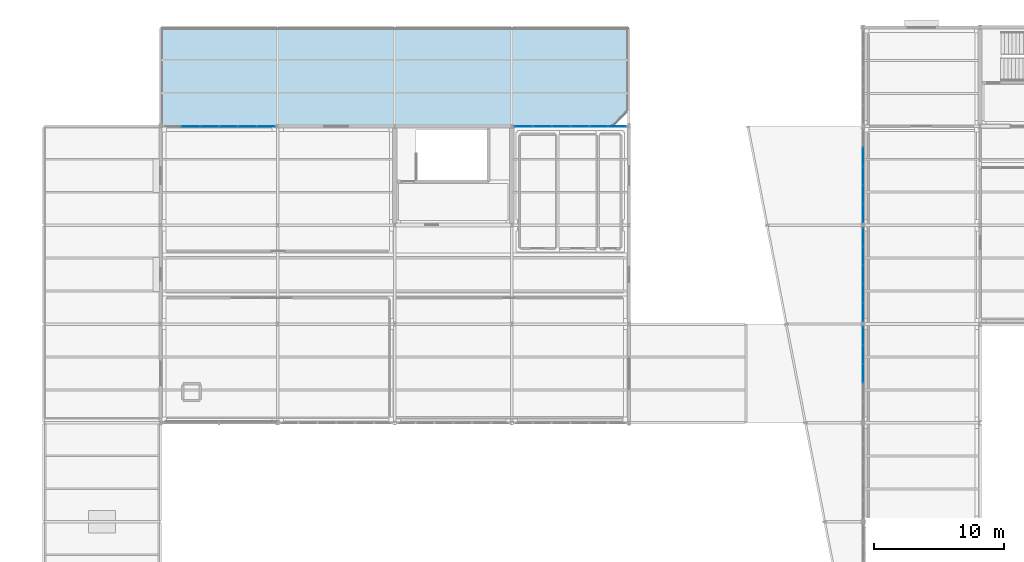
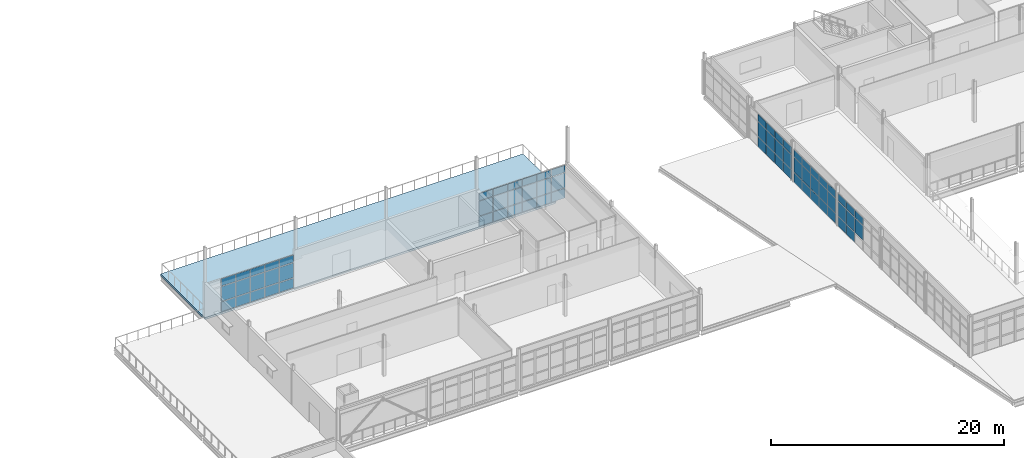
# One storey, part 72 of 96: 68 plates, 1 slab, 5 elements without a shape of their own.
"""IFC4 building model written with IfcOpenShell, lengths in metres."""

from ifc_helpers import new_model, si_unit, direction, frame, origin, origin_2d, place, context, subcontext, project, spatial, polyline, rectangle, outline, extrude, material, layer, layer_set, type_object, element, aggregate, save


model = new_model("IFC4")

# Units and contexts
model_context = context("Model", 3, precision=1e-05, world=origin(), true_north=direction((0.0, 1.0)))
body_context = subcontext(model_context, "Body", "Model", "MODEL_VIEW")
ifc_project = project(units=[si_unit("LENGTHUNIT", "METRE"), si_unit("AREAUNIT", "SQUARE_METRE"), si_unit("VOLUMEUNIT", "CUBIC_METRE"), si_unit("PLANEANGLEUNIT", "RADIAN"), si_unit("MASSUNIT", "GRAM", prefix="KILO")], contexts=[model_context])

# Site, building, storey
site_placement = place(None, origin())
site = spatial("IfcSite", under=ifc_project, at=site_placement, CompositionType="ELEMENT")
building_placement = place(site_placement, origin())
building = spatial("IfcBuilding", under=site, at=building_placement, Name="Caisbarro Railhouse Central Library", CompositionType="ELEMENT")
storey_placement = place(building_placement, frame((0.0, 0.0, 13.679931640625)))
storey = spatial("IfcBuildingStorey", under=building, at=storey_placement, Name="L03", CompositionType="ELEMENT", Elevation=13.679931640625)

# Curtain wall, plates
ifc_material_1 = material(Name="Anodised architectural aluminium", Category="aluminium")
curtain_wall_type_1 = type_object("IfcCurtainWallType", Name="CW-CW02", PredefinedType="NOTDEFINED", material=ifc_material_1)
curtain_wall_1_placement = place(storey_placement, origin())
curtain_wall_1 = element("IfcCurtainWall", 1, at=curtain_wall_1_placement, inside=storey, type_object=curtain_wall_type_1, Name="CW02 curtain wall L03 #144", PredefinedType="NOTDEFINED")
ifc_material_2 = material(Name="Double low-e laminated solar-control glass", Category="glass")
ifc_layer_1 = layer(ifc_material_2, 0.0380859375, Name="Double low-e laminated solar-control glass")
ifc_layer_set_1 = layer_set([ifc_layer_1], Name="Double low-e laminated solar-control glass")
plate_type_1 = type_object("IfcPlateType", Name="CWP-CP38", PredefinedType="CURTAIN_PANEL", material=ifc_layer_set_1)
plate_1_placement = place(storey_placement, frame((117.0, 87.39990234375, 1.15771484375), z_axis=(0.0, 0.0, 1.0), x_axis=(0.0, 1.0, 0.0)))
plate_1 = element("IfcPlate", 2, at=plate_1_placement, type_object=plate_type_1, Name="CW02 panel 3.2", PredefinedType="CURTAIN_PANEL", context=body_context, shape_type="SweptSolid", body=[
    extrude(rectangle(XDim=1.39111328125, YDim=0.0380859375, at=origin_2d()), origin(), (0.0, 0.0, 1.0), 1.514892578125),
])
plate_2_placement = place(storey_placement, frame((117.0, 87.39990234375, 2.74755859375), z_axis=(0.0, 0.0, 1.0), x_axis=(0.0, 1.0, 0.0)))
plate_2 = element("IfcPlate", 3, at=plate_2_placement, type_object=plate_type_1, Name="CW02 panel 3.3", PredefinedType="CURTAIN_PANEL", context=body_context, shape_type="SweptSolid", body=[
    extrude(rectangle(XDim=1.39111328125, YDim=0.0380859375, at=origin_2d()), origin(), (0.0, 0.0, 1.0), 0.737548828125),
])
plate_3_placement = place(storey_placement, frame((117.0, 88.85595703125, 0.0751953125), z_axis=(0.0, 0.0, 1.0), x_axis=(0.0, 1.0, 0.0)))
plate_3 = element("IfcPlate", 4, at=plate_3_placement, type_object=plate_type_1, Name="CW02 panel 4.1", PredefinedType="CURTAIN_PANEL", context=body_context, shape_type="SweptSolid", body=[
    extrude(rectangle(XDim=1.39111328125, YDim=0.0380859375, at=origin_2d()), origin(), (0.0, 0.0, 1.0), 1.007568359375),
])
plate_4_placement = place(storey_placement, frame((117.0, 88.85595703125, 1.15771484375), z_axis=(0.0, 0.0, 1.0), x_axis=(0.0, 1.0, 0.0)))
plate_4 = element("IfcPlate", 5, at=plate_4_placement, type_object=plate_type_1, Name="CW02 panel 4.2", PredefinedType="CURTAIN_PANEL", context=body_context, shape_type="SweptSolid", body=[
    extrude(rectangle(XDim=1.39111328125, YDim=0.0380859375, at=origin_2d()), origin(), (0.0, 0.0, 1.0), 1.514892578125),
])
plate_5_placement = place(storey_placement, frame((117.0, 88.85595703125, 2.74755859375), z_axis=(0.0, 0.0, 1.0), x_axis=(0.0, 1.0, 0.0)))
plate_5 = element("IfcPlate", 6, at=plate_5_placement, type_object=plate_type_1, Name="CW02 panel 4.3", PredefinedType="CURTAIN_PANEL", context=body_context, shape_type="SweptSolid", body=[
    extrude(rectangle(XDim=1.39111328125, YDim=0.0380859375, at=origin_2d()), origin(), (0.0, 0.0, 1.0), 0.737548828125),
])
plate_6_placement = place(storey_placement, frame((117.0, 90.295654296875, 0.0751953125), z_axis=(0.0, 0.0, 1.0), x_axis=(0.0, 1.0, 0.0)))
plate_6 = element("IfcPlate", 7, at=plate_6_placement, type_object=plate_type_1, Name="CW02 panel 5.1", PredefinedType="CURTAIN_PANEL", context=body_context, shape_type="SweptSolid", body=[
    extrude(rectangle(XDim=1.3583984375, YDim=0.0380859375, at=origin_2d()), origin(), (0.0, 0.0, 1.0), 1.007568359375),
])
plate_7_placement = place(storey_placement, frame((117.0, 90.295654296875, 1.15771484375), z_axis=(0.0, 0.0, 1.0), x_axis=(0.0, 1.0, 0.0)))
plate_7 = element("IfcPlate", 8, at=plate_7_placement, type_object=plate_type_1, Name="CW02 panel 5.2", PredefinedType="CURTAIN_PANEL", context=body_context, shape_type="SweptSolid", body=[
    extrude(rectangle(XDim=1.3583984375, YDim=0.0380859375, at=origin_2d()), origin(), (0.0, 0.0, 1.0), 1.514892578125),
])
plate_8_placement = place(storey_placement, frame((117.0, 90.295654296875, 2.74755859375), z_axis=(0.0, 0.0, 1.0), x_axis=(0.0, 1.0, 0.0)))
plate_8 = element("IfcPlate", 9, at=plate_8_placement, type_object=plate_type_1, Name="CW02 panel 5.3", PredefinedType="CURTAIN_PANEL", context=body_context, shape_type="SweptSolid", body=[
    extrude(rectangle(XDim=1.3583984375, YDim=0.0380859375, at=origin_2d()), origin(), (0.0, 0.0, 1.0), 0.737548828125),
])
aggregate(curtain_wall_1, [plate_1, plate_2, plate_3, plate_4, plate_5, plate_6, plate_7, plate_8])

curtain_wall_type_2 = type_object("IfcCurtainWallType", Name="CW-CW03", PredefinedType="NOTDEFINED", material=ifc_material_1)
curtain_wall_2_placement = place(storey_placement, origin())
curtain_wall_2 = element("IfcCurtainWall", 10, at=curtain_wall_2_placement, inside=storey, type_object=curtain_wall_type_2, Name="CW03 curtain wall L03 #187", PredefinedType="NOTDEFINED")
plate_9_placement = place(storey_placement, frame((65.330078125, 106.39990234375, 0.0751953125), z_axis=(0.0, 0.0, 1.0), x_axis=(1.0, 0.0, 0.0)))
plate_9 = element("IfcPlate", 11, at=plate_9_placement, type_object=plate_type_1, Name="CW03 panel 2.1", PredefinedType="CURTAIN_PANEL", context=body_context, shape_type="SweptSolid", body=[
    extrude(rectangle(XDim=1.381591796875, YDim=0.0380859375, at=origin_2d()), origin(), (0.0, 0.0, 1.0), 1.007568359375),
])
plate_10_placement = place(storey_placement, frame((65.330078125, 106.39990234375, 1.15771484375), z_axis=(0.0, 0.0, 1.0), x_axis=(1.0, 0.0, 0.0)))
plate_10 = element("IfcPlate", 12, at=plate_10_placement, type_object=plate_type_1, Name="CW03 panel 2.2", PredefinedType="CURTAIN_PANEL", context=body_context, shape_type="SweptSolid", body=[
    extrude(rectangle(XDim=1.381591796875, YDim=0.0380859375, at=origin_2d()), origin(), (0.0, 0.0, 1.0), 1.534912109375),
])
plate_11_placement = place(storey_placement, frame((65.330078125, 106.39990234375, 2.767578125), z_axis=(0.0, 0.0, 1.0), x_axis=(1.0, 0.0, 0.0)))
plate_11 = element("IfcPlate", 13, at=plate_11_placement, type_object=plate_type_1, Name="CW03 panel 2.3", PredefinedType="CURTAIN_PANEL", context=body_context, shape_type="SweptSolid", body=[
    extrude(rectangle(XDim=1.381591796875, YDim=0.0380859375, at=origin_2d()), origin(), (0.0, 0.0, 1.0), 0.737548828125),
])
plate_12_placement = place(storey_placement, frame((66.776611328125, 106.39990234375, 0.0751953125), z_axis=(0.0, 0.0, 1.0), x_axis=(1.0, 0.0, 0.0)))
plate_12 = element("IfcPlate", 14, at=plate_12_placement, type_object=plate_type_1, Name="CW03 panel 3.1", PredefinedType="CURTAIN_PANEL", context=body_context, shape_type="SweptSolid", body=[
    extrude(rectangle(XDim=1.381591796875, YDim=0.0380859375, at=origin_2d()), origin(), (0.0, 0.0, 1.0), 1.007568359375),
])
plate_13_placement = place(storey_placement, frame((66.776611328125, 106.39990234375, 1.15771484375), z_axis=(0.0, 0.0, 1.0), x_axis=(1.0, 0.0, 0.0)))
plate_13 = element("IfcPlate", 15, at=plate_13_placement, type_object=plate_type_1, Name="CW03 panel 3.2", PredefinedType="CURTAIN_PANEL", context=body_context, shape_type="SweptSolid", body=[
    extrude(rectangle(XDim=1.381591796875, YDim=0.0380859375, at=origin_2d()), origin(), (0.0, 0.0, 1.0), 1.534912109375),
])
plate_14_placement = place(storey_placement, frame((66.776611328125, 106.39990234375, 2.767578125), z_axis=(0.0, 0.0, 1.0), x_axis=(1.0, 0.0, 0.0)))
plate_14 = element("IfcPlate", 16, at=plate_14_placement, type_object=plate_type_1, Name="CW03 panel 3.3", PredefinedType="CURTAIN_PANEL", context=body_context, shape_type="SweptSolid", body=[
    extrude(rectangle(XDim=1.381591796875, YDim=0.0380859375, at=origin_2d()), origin(), (0.0, 0.0, 1.0), 0.737548828125),
])
plate_15_placement = place(storey_placement, frame((68.223388671875, 106.39990234375, 0.0751953125), z_axis=(0.0, 0.0, 1.0), x_axis=(1.0, 0.0, 0.0)))
plate_15 = element("IfcPlate", 17, at=plate_15_placement, type_object=plate_type_1, Name="CW03 panel 4.1", PredefinedType="CURTAIN_PANEL", context=body_context, shape_type="SweptSolid", body=[
    extrude(rectangle(XDim=1.381591796875, YDim=0.0380859375, at=origin_2d()), origin(), (0.0, 0.0, 1.0), 1.007568359375),
])
plate_16_placement = place(storey_placement, frame((68.223388671875, 106.39990234375, 1.15771484375), z_axis=(0.0, 0.0, 1.0), x_axis=(1.0, 0.0, 0.0)))
plate_16 = element("IfcPlate", 18, at=plate_16_placement, type_object=plate_type_1, Name="CW03 panel 4.2", PredefinedType="CURTAIN_PANEL", context=body_context, shape_type="SweptSolid", body=[
    extrude(rectangle(XDim=1.381591796875, YDim=0.0380859375, at=origin_2d()), origin(), (0.0, 0.0, 1.0), 1.534912109375),
])
plate_17_placement = place(storey_placement, frame((68.223388671875, 106.39990234375, 2.767578125), z_axis=(0.0, 0.0, 1.0), x_axis=(1.0, 0.0, 0.0)))
plate_17 = element("IfcPlate", 19, at=plate_17_placement, type_object=plate_type_1, Name="CW03 panel 4.3", PredefinedType="CURTAIN_PANEL", context=body_context, shape_type="SweptSolid", body=[
    extrude(rectangle(XDim=1.381591796875, YDim=0.0380859375, at=origin_2d()), origin(), (0.0, 0.0, 1.0), 0.737548828125),
])
plate_18_placement = place(storey_placement, frame((69.669921875, 106.39990234375, 0.0751953125), z_axis=(0.0, 0.0, 1.0), x_axis=(1.0, 0.0, 0.0)))
plate_18 = element("IfcPlate", 20, at=plate_18_placement, type_object=plate_type_1, Name="CW03 panel 5.1", PredefinedType="CURTAIN_PANEL", context=body_context, shape_type="SweptSolid", body=[
    extrude(rectangle(XDim=1.381591796875, YDim=0.0380859375, at=origin_2d()), origin(), (0.0, 0.0, 1.0), 1.007568359375),
])
plate_19_placement = place(storey_placement, frame((69.669921875, 106.39990234375, 1.15771484375), z_axis=(0.0, 0.0, 1.0), x_axis=(1.0, 0.0, 0.0)))
plate_19 = element("IfcPlate", 21, at=plate_19_placement, type_object=plate_type_1, Name="CW03 panel 5.2", PredefinedType="CURTAIN_PANEL", context=body_context, shape_type="SweptSolid", body=[
    extrude(rectangle(XDim=1.381591796875, YDim=0.0380859375, at=origin_2d()), origin(), (0.0, 0.0, 1.0), 1.534912109375),
])
plate_20_placement = place(storey_placement, frame((69.669921875, 106.39990234375, 2.767578125), z_axis=(0.0, 0.0, 1.0), x_axis=(1.0, 0.0, 0.0)))
plate_20 = element("IfcPlate", 22, at=plate_20_placement, type_object=plate_type_1, Name="CW03 panel 5.3", PredefinedType="CURTAIN_PANEL", context=body_context, shape_type="SweptSolid", body=[
    extrude(rectangle(XDim=1.381591796875, YDim=0.0380859375, at=origin_2d()), origin(), (0.0, 0.0, 1.0), 0.737548828125),
])
plate_21_placement = place(storey_placement, frame((71.100341796875, 106.39990234375, 0.0751953125), z_axis=(0.0, 0.0, 1.0), x_axis=(1.0, 0.0, 0.0)))
plate_21 = element("IfcPlate", 23, at=plate_21_placement, type_object=plate_type_1, Name="CW03 panel 6.1", PredefinedType="CURTAIN_PANEL", context=body_context, shape_type="SweptSolid", body=[
    extrude(rectangle(XDim=1.34912109375, YDim=0.0380859375, at=origin_2d()), origin(), (0.0, 0.0, 1.0), 1.007568359375),
])
plate_22_placement = place(storey_placement, frame((71.100341796875, 106.39990234375, 1.15771484375), z_axis=(0.0, 0.0, 1.0), x_axis=(1.0, 0.0, 0.0)))
plate_22 = element("IfcPlate", 24, at=plate_22_placement, type_object=plate_type_1, Name="CW03 panel 6.2", PredefinedType="CURTAIN_PANEL", context=body_context, shape_type="SweptSolid", body=[
    extrude(rectangle(XDim=1.34912109375, YDim=0.0380859375, at=origin_2d()), origin(), (0.0, 0.0, 1.0), 1.534912109375),
])
plate_23_placement = place(storey_placement, frame((71.100341796875, 106.39990234375, 2.767578125), z_axis=(0.0, 0.0, 1.0), x_axis=(1.0, 0.0, 0.0)))
plate_23 = element("IfcPlate", 25, at=plate_23_placement, type_object=plate_type_1, Name="CW03 panel 6.3", PredefinedType="CURTAIN_PANEL", context=body_context, shape_type="SweptSolid", body=[
    extrude(rectangle(XDim=1.34912109375, YDim=0.0380859375, at=origin_2d()), origin(), (0.0, 0.0, 1.0), 0.737548828125),
])
aggregate(curtain_wall_2, [plate_9, plate_10, plate_11, plate_12, plate_13, plate_14, plate_15, plate_16, plate_17, plate_18, plate_19, plate_20, plate_21, plate_22, plate_23])

curtain_wall_3_placement = place(storey_placement, origin())
curtain_wall_3 = element("IfcCurtainWall", 26, at=curtain_wall_3_placement, inside=storey, type_object=curtain_wall_type_2, Name="CW03 curtain wall L03 #191", PredefinedType="NOTDEFINED")
plate_24_placement = place(storey_placement, frame((90.899658203125, 106.39990234375, 0.0751953125), z_axis=(0.0, 0.0, 1.0), x_axis=(1.0, 0.0, 0.0)))
plate_24 = element("IfcPlate", 27, at=plate_24_placement, type_object=plate_type_1, Name="CW03 panel 1.1", PredefinedType="CURTAIN_PANEL", context=body_context, shape_type="SweptSolid", body=[
    extrude(rectangle(XDim=1.34912109375, YDim=0.0380859375, at=origin_2d()), origin(), (0.0, 0.0, 1.0), 1.007568359375),
])
plate_25_placement = place(storey_placement, frame((90.899658203125, 106.39990234375, 1.15771484375), z_axis=(0.0, 0.0, 1.0), x_axis=(1.0, 0.0, 0.0)))
plate_25 = element("IfcPlate", 28, at=plate_25_placement, type_object=plate_type_1, Name="CW03 panel 1.2", PredefinedType="CURTAIN_PANEL", context=body_context, shape_type="SweptSolid", body=[
    extrude(rectangle(XDim=1.34912109375, YDim=0.0380859375, at=origin_2d()), origin(), (0.0, 0.0, 1.0), 1.534912109375),
])
plate_26_placement = place(storey_placement, frame((90.899658203125, 106.39990234375, 2.767578125), z_axis=(0.0, 0.0, 1.0), x_axis=(1.0, 0.0, 0.0)))
plate_26 = element("IfcPlate", 29, at=plate_26_placement, type_object=plate_type_1, Name="CW03 panel 1.3", PredefinedType="CURTAIN_PANEL", context=body_context, shape_type="SweptSolid", body=[
    extrude(rectangle(XDim=1.34912109375, YDim=0.0380859375, at=origin_2d()), origin(), (0.0, 0.0, 1.0), 0.737548828125),
])
plate_27_placement = place(storey_placement, frame((92.330078125, 106.39990234375, 0.0751953125), z_axis=(0.0, 0.0, 1.0), x_axis=(1.0, 0.0, 0.0)))
plate_27 = element("IfcPlate", 30, at=plate_27_placement, type_object=plate_type_1, Name="CW03 panel 2.1", PredefinedType="CURTAIN_PANEL", context=body_context, shape_type="SweptSolid", body=[
    extrude(rectangle(XDim=1.381591796875, YDim=0.0380859375, at=origin_2d()), origin(), (0.0, 0.0, 1.0), 1.007568359375),
])
plate_28_placement = place(storey_placement, frame((92.330078125, 106.39990234375, 1.15771484375), z_axis=(0.0, 0.0, 1.0), x_axis=(1.0, 0.0, 0.0)))
plate_28 = element("IfcPlate", 31, at=plate_28_placement, type_object=plate_type_1, Name="CW03 panel 2.2", PredefinedType="CURTAIN_PANEL", context=body_context, shape_type="SweptSolid", body=[
    extrude(rectangle(XDim=1.381591796875, YDim=0.0380859375, at=origin_2d()), origin(), (0.0, 0.0, 1.0), 1.534912109375),
])
plate_29_placement = place(storey_placement, frame((92.330078125, 106.39990234375, 2.767578125), z_axis=(0.0, 0.0, 1.0), x_axis=(1.0, 0.0, 0.0)))
plate_29 = element("IfcPlate", 32, at=plate_29_placement, type_object=plate_type_1, Name="CW03 panel 2.3", PredefinedType="CURTAIN_PANEL", context=body_context, shape_type="SweptSolid", body=[
    extrude(rectangle(XDim=1.381591796875, YDim=0.0380859375, at=origin_2d()), origin(), (0.0, 0.0, 1.0), 0.737548828125),
])
plate_30_placement = place(storey_placement, frame((93.776611328125, 106.39990234375, 0.0751953125), z_axis=(0.0, 0.0, 1.0), x_axis=(1.0, 0.0, 0.0)))
plate_30 = element("IfcPlate", 33, at=plate_30_placement, type_object=plate_type_1, Name="CW03 panel 3.1", PredefinedType="CURTAIN_PANEL", context=body_context, shape_type="SweptSolid", body=[
    extrude(rectangle(XDim=1.381591796875, YDim=0.0380859375, at=origin_2d()), origin(), (0.0, 0.0, 1.0), 1.007568359375),
])
plate_31_placement = place(storey_placement, frame((93.776611328125, 106.39990234375, 1.15771484375), z_axis=(0.0, 0.0, 1.0), x_axis=(1.0, 0.0, 0.0)))
plate_31 = element("IfcPlate", 34, at=plate_31_placement, type_object=plate_type_1, Name="CW03 panel 3.2", PredefinedType="CURTAIN_PANEL", context=body_context, shape_type="SweptSolid", body=[
    extrude(rectangle(XDim=1.381591796875, YDim=0.0380859375, at=origin_2d()), origin(), (0.0, 0.0, 1.0), 1.534912109375),
])
plate_32_placement = place(storey_placement, frame((93.776611328125, 106.39990234375, 2.767578125), z_axis=(0.0, 0.0, 1.0), x_axis=(1.0, 0.0, 0.0)))
plate_32 = element("IfcPlate", 35, at=plate_32_placement, type_object=plate_type_1, Name="CW03 panel 3.3", PredefinedType="CURTAIN_PANEL", context=body_context, shape_type="SweptSolid", body=[
    extrude(rectangle(XDim=1.381591796875, YDim=0.0380859375, at=origin_2d()), origin(), (0.0, 0.0, 1.0), 0.737548828125),
])
plate_33_placement = place(storey_placement, frame((95.223388671875, 106.39990234375, 0.0751953125), z_axis=(0.0, 0.0, 1.0), x_axis=(1.0, 0.0, 0.0)))
plate_33 = element("IfcPlate", 36, at=plate_33_placement, type_object=plate_type_1, Name="CW03 panel 4.1", PredefinedType="CURTAIN_PANEL", context=body_context, shape_type="SweptSolid", body=[
    extrude(rectangle(XDim=1.381591796875, YDim=0.0380859375, at=origin_2d()), origin(), (0.0, 0.0, 1.0), 1.007568359375),
])
plate_34_placement = place(storey_placement, frame((95.223388671875, 106.39990234375, 1.15771484375), z_axis=(0.0, 0.0, 1.0), x_axis=(1.0, 0.0, 0.0)))
plate_34 = element("IfcPlate", 37, at=plate_34_placement, type_object=plate_type_1, Name="CW03 panel 4.2", PredefinedType="CURTAIN_PANEL", context=body_context, shape_type="SweptSolid", body=[
    extrude(rectangle(XDim=1.381591796875, YDim=0.0380859375, at=origin_2d()), origin(), (0.0, 0.0, 1.0), 1.534912109375),
])
plate_35_placement = place(storey_placement, frame((95.223388671875, 106.39990234375, 2.767578125), z_axis=(0.0, 0.0, 1.0), x_axis=(1.0, 0.0, 0.0)))
plate_35 = element("IfcPlate", 38, at=plate_35_placement, type_object=plate_type_1, Name="CW03 panel 4.3", PredefinedType="CURTAIN_PANEL", context=body_context, shape_type="SweptSolid", body=[
    extrude(rectangle(XDim=1.381591796875, YDim=0.0380859375, at=origin_2d()), origin(), (0.0, 0.0, 1.0), 0.737548828125),
])
plate_36_placement = place(storey_placement, frame((96.669921875, 106.39990234375, 0.0751953125), z_axis=(0.0, 0.0, 1.0), x_axis=(1.0, 0.0, 0.0)))
plate_36 = element("IfcPlate", 39, at=plate_36_placement, type_object=plate_type_1, Name="CW03 panel 5.1", PredefinedType="CURTAIN_PANEL", context=body_context, shape_type="SweptSolid", body=[
    extrude(rectangle(XDim=1.381591796875, YDim=0.0380859375, at=origin_2d()), origin(), (0.0, 0.0, 1.0), 1.007568359375),
])
plate_37_placement = place(storey_placement, frame((96.669921875, 106.39990234375, 1.15771484375), z_axis=(0.0, 0.0, 1.0), x_axis=(1.0, 0.0, 0.0)))
plate_37 = element("IfcPlate", 40, at=plate_37_placement, type_object=plate_type_1, Name="CW03 panel 5.2", PredefinedType="CURTAIN_PANEL", context=body_context, shape_type="SweptSolid", body=[
    extrude(rectangle(XDim=1.381591796875, YDim=0.0380859375, at=origin_2d()), origin(), (0.0, 0.0, 1.0), 1.534912109375),
])
plate_38_placement = place(storey_placement, frame((96.669921875, 106.39990234375, 2.767578125), z_axis=(0.0, 0.0, 1.0), x_axis=(1.0, 0.0, 0.0)))
plate_38 = element("IfcPlate", 41, at=plate_38_placement, type_object=plate_type_1, Name="CW03 panel 5.3", PredefinedType="CURTAIN_PANEL", context=body_context, shape_type="SweptSolid", body=[
    extrude(rectangle(XDim=1.381591796875, YDim=0.0380859375, at=origin_2d()), origin(), (0.0, 0.0, 1.0), 0.737548828125),
])
plate_39_placement = place(storey_placement, frame((98.100341796875, 106.39990234375, 0.0751953125), z_axis=(0.0, 0.0, 1.0), x_axis=(1.0, 0.0, 0.0)))
plate_39 = element("IfcPlate", 42, at=plate_39_placement, type_object=plate_type_1, Name="CW03 panel 6.1", PredefinedType="CURTAIN_PANEL", context=body_context, shape_type="SweptSolid", body=[
    extrude(rectangle(XDim=1.34912109375, YDim=0.0380859375, at=origin_2d()), origin(), (0.0, 0.0, 1.0), 1.007568359375),
])
plate_40_placement = place(storey_placement, frame((98.100341796875, 106.39990234375, 1.15771484375), z_axis=(0.0, 0.0, 1.0), x_axis=(1.0, 0.0, 0.0)))
plate_40 = element("IfcPlate", 43, at=plate_40_placement, type_object=plate_type_1, Name="CW03 panel 6.2", PredefinedType="CURTAIN_PANEL", context=body_context, shape_type="SweptSolid", body=[
    extrude(rectangle(XDim=1.34912109375, YDim=0.0380859375, at=origin_2d()), origin(), (0.0, 0.0, 1.0), 1.534912109375),
])
plate_41_placement = place(storey_placement, frame((98.100341796875, 106.39990234375, 2.767578125), z_axis=(0.0, 0.0, 1.0), x_axis=(1.0, 0.0, 0.0)))
plate_41 = element("IfcPlate", 44, at=plate_41_placement, type_object=plate_type_1, Name="CW03 panel 6.3", PredefinedType="CURTAIN_PANEL", context=body_context, shape_type="SweptSolid", body=[
    extrude(rectangle(XDim=1.34912109375, YDim=0.0380859375, at=origin_2d()), origin(), (0.0, 0.0, 1.0), 0.737548828125),
])
aggregate(curtain_wall_3, [plate_24, plate_25, plate_26, plate_27, plate_28, plate_29, plate_30, plate_31, plate_32, plate_33, plate_34, plate_35, plate_36, plate_37, plate_38, plate_39, plate_40, plate_41])

curtain_wall_4_placement = place(storey_placement, origin())
curtain_wall_4 = element("IfcCurtainWall", 45, at=curtain_wall_4_placement, inside=storey, type_object=curtain_wall_type_1, Name="CW02 curtain wall L03 #145", PredefinedType="NOTDEFINED")
ifc_layer_2 = layer(ifc_material_2, 0.048095703125, Name="Double low-e laminated solar-control glass")
ifc_layer_set_2 = layer_set([ifc_layer_2], Name="Double low-e laminated solar-control glass")
plate_type_2 = type_object("IfcPlateType", Name="CWP-CP48", PredefinedType="CURTAIN_PANEL", material=ifc_layer_set_2)
plate_42_placement = place(storey_placement, frame((117.0, 92.104248046875, 0.0751953125), z_axis=(0.0, 0.0, 1.0), x_axis=(0.0, 1.0, 0.0)))
plate_42 = element("IfcPlate", 46, at=plate_42_placement, type_object=plate_type_2, Name="CW02 panel 1.1", PredefinedType="CURTAIN_PANEL", context=body_context, shape_type="SweptSolid", body=[
    extrude(rectangle(XDim=1.3583984375, YDim=0.048095703125, at=origin_2d()), origin(), (0.0, 0.0, 1.0), 1.007568359375),
])
plate_43_placement = place(storey_placement, frame((117.0, 92.104248046875, 1.15771484375), z_axis=(0.0, 0.0, 1.0), x_axis=(0.0, 1.0, 0.0)))
plate_43 = element("IfcPlate", 47, at=plate_43_placement, type_object=plate_type_2, Name="CW02 panel 1.2", PredefinedType="CURTAIN_PANEL", context=body_context, shape_type="SweptSolid", body=[
    extrude(rectangle(XDim=1.3583984375, YDim=0.048095703125, at=origin_2d()), origin(), (0.0, 0.0, 1.0), 1.514892578125),
])
plate_44_placement = place(storey_placement, frame((117.0, 92.104248046875, 2.74755859375), z_axis=(0.0, 0.0, 1.0), x_axis=(0.0, 1.0, 0.0)))
plate_44 = element("IfcPlate", 48, at=plate_44_placement, type_object=plate_type_2, Name="CW02 panel 1.3", PredefinedType="CURTAIN_PANEL", context=body_context, shape_type="SweptSolid", body=[
    extrude(rectangle(XDim=1.3583984375, YDim=0.048095703125, at=origin_2d()), origin(), (0.0, 0.0, 1.0), 0.737548828125),
])
plate_45_placement = place(storey_placement, frame((117.0, 93.5439453125, 0.0751953125), z_axis=(0.0, 0.0, 1.0), x_axis=(0.0, 1.0, 0.0)))
plate_45 = element("IfcPlate", 49, at=plate_45_placement, type_object=plate_type_2, Name="CW02 panel 2.1", PredefinedType="CURTAIN_PANEL", context=body_context, shape_type="SweptSolid", body=[
    extrude(rectangle(XDim=1.39111328125, YDim=0.048095703125, at=origin_2d()), origin(), (0.0, 0.0, 1.0), 1.007568359375),
])
plate_46_placement = place(storey_placement, frame((117.0, 93.5439453125, 1.15771484375), z_axis=(0.0, 0.0, 1.0), x_axis=(0.0, 1.0, 0.0)))
plate_46 = element("IfcPlate", 50, at=plate_46_placement, type_object=plate_type_2, Name="CW02 panel 2.2", PredefinedType="CURTAIN_PANEL", context=body_context, shape_type="SweptSolid", body=[
    extrude(rectangle(XDim=1.39111328125, YDim=0.048095703125, at=origin_2d()), origin(), (0.0, 0.0, 1.0), 1.514892578125),
])
plate_47_placement = place(storey_placement, frame((117.0, 93.5439453125, 2.74755859375), z_axis=(0.0, 0.0, 1.0), x_axis=(0.0, 1.0, 0.0)))
plate_47 = element("IfcPlate", 51, at=plate_47_placement, type_object=plate_type_2, Name="CW02 panel 2.3", PredefinedType="CURTAIN_PANEL", context=body_context, shape_type="SweptSolid", body=[
    extrude(rectangle(XDim=1.39111328125, YDim=0.048095703125, at=origin_2d()), origin(), (0.0, 0.0, 1.0), 0.737548828125),
])
plate_48_placement = place(storey_placement, frame((117.0, 95.0, 0.0751953125), z_axis=(0.0, 0.0, 1.0), x_axis=(0.0, 1.0, 0.0)))
plate_48 = element("IfcPlate", 52, at=plate_48_placement, type_object=plate_type_2, Name="CW02 panel 3.1", PredefinedType="CURTAIN_PANEL", context=body_context, shape_type="SweptSolid", body=[
    extrude(rectangle(XDim=1.39111328125, YDim=0.048095703125, at=origin_2d()), origin(), (0.0, 0.0, 1.0), 1.007568359375),
])
plate_49_placement = place(storey_placement, frame((117.0, 95.0, 1.15771484375), z_axis=(0.0, 0.0, 1.0), x_axis=(0.0, 1.0, 0.0)))
plate_49 = element("IfcPlate", 53, at=plate_49_placement, type_object=plate_type_2, Name="CW02 panel 3.2", PredefinedType="CURTAIN_PANEL", context=body_context, shape_type="SweptSolid", body=[
    extrude(rectangle(XDim=1.39111328125, YDim=0.048095703125, at=origin_2d()), origin(), (0.0, 0.0, 1.0), 1.514892578125),
])
plate_50_placement = place(storey_placement, frame((117.0, 95.0, 2.74755859375), z_axis=(0.0, 0.0, 1.0), x_axis=(0.0, 1.0, 0.0)))
plate_50 = element("IfcPlate", 54, at=plate_50_placement, type_object=plate_type_2, Name="CW02 panel 3.3", PredefinedType="CURTAIN_PANEL", context=body_context, shape_type="SweptSolid", body=[
    extrude(rectangle(XDim=1.39111328125, YDim=0.048095703125, at=origin_2d()), origin(), (0.0, 0.0, 1.0), 0.737548828125),
])
plate_51_placement = place(storey_placement, frame((117.0, 96.4560546875, 0.0751953125), z_axis=(0.0, 0.0, 1.0), x_axis=(0.0, 1.0, 0.0)))
plate_51 = element("IfcPlate", 55, at=plate_51_placement, type_object=plate_type_2, Name="CW02 panel 4.1", PredefinedType="CURTAIN_PANEL", context=body_context, shape_type="SweptSolid", body=[
    extrude(rectangle(XDim=1.39111328125, YDim=0.048095703125, at=origin_2d()), origin(), (0.0, 0.0, 1.0), 1.007568359375),
])
plate_52_placement = place(storey_placement, frame((117.0, 96.4560546875, 1.15771484375), z_axis=(0.0, 0.0, 1.0), x_axis=(0.0, 1.0, 0.0)))
plate_52 = element("IfcPlate", 56, at=plate_52_placement, type_object=plate_type_2, Name="CW02 panel 4.2", PredefinedType="CURTAIN_PANEL", context=body_context, shape_type="SweptSolid", body=[
    extrude(rectangle(XDim=1.39111328125, YDim=0.048095703125, at=origin_2d()), origin(), (0.0, 0.0, 1.0), 1.514892578125),
])
plate_53_placement = place(storey_placement, frame((117.0, 96.4560546875, 2.74755859375), z_axis=(0.0, 0.0, 1.0), x_axis=(0.0, 1.0, 0.0)))
plate_53 = element("IfcPlate", 57, at=plate_53_placement, type_object=plate_type_2, Name="CW02 panel 4.3", PredefinedType="CURTAIN_PANEL", context=body_context, shape_type="SweptSolid", body=[
    extrude(rectangle(XDim=1.39111328125, YDim=0.048095703125, at=origin_2d()), origin(), (0.0, 0.0, 1.0), 0.737548828125),
])
plate_54_placement = place(storey_placement, frame((117.0, 97.895751953125, 0.0751953125), z_axis=(0.0, 0.0, 1.0), x_axis=(0.0, 1.0, 0.0)))
plate_54 = element("IfcPlate", 58, at=plate_54_placement, type_object=plate_type_2, Name="CW02 panel 5.1", PredefinedType="CURTAIN_PANEL", context=body_context, shape_type="SweptSolid", body=[
    extrude(rectangle(XDim=1.3583984375, YDim=0.048095703125, at=origin_2d()), origin(), (0.0, 0.0, 1.0), 1.007568359375),
])
plate_55_placement = place(storey_placement, frame((117.0, 97.895751953125, 1.15771484375), z_axis=(0.0, 0.0, 1.0), x_axis=(0.0, 1.0, 0.0)))
plate_55 = element("IfcPlate", 59, at=plate_55_placement, type_object=plate_type_2, Name="CW02 panel 5.2", PredefinedType="CURTAIN_PANEL", context=body_context, shape_type="SweptSolid", body=[
    extrude(rectangle(XDim=1.3583984375, YDim=0.048095703125, at=origin_2d()), origin(), (0.0, 0.0, 1.0), 1.514892578125),
])
plate_56_placement = place(storey_placement, frame((117.0, 97.895751953125, 2.74755859375), z_axis=(0.0, 0.0, 1.0), x_axis=(0.0, 1.0, 0.0)))
plate_56 = element("IfcPlate", 60, at=plate_56_placement, type_object=plate_type_2, Name="CW02 panel 5.3", PredefinedType="CURTAIN_PANEL", context=body_context, shape_type="SweptSolid", body=[
    extrude(rectangle(XDim=1.3583984375, YDim=0.048095703125, at=origin_2d()), origin(), (0.0, 0.0, 1.0), 0.737548828125),
])
aggregate(curtain_wall_4, [plate_42, plate_43, plate_44, plate_45, plate_46, plate_47, plate_48, plate_49, plate_50, plate_51, plate_52, plate_53, plate_54, plate_55, plate_56])

curtain_wall_5_placement = place(storey_placement, origin())
curtain_wall_5 = element("IfcCurtainWall", 61, at=curtain_wall_5_placement, inside=storey, type_object=curtain_wall_type_1, Name="CW02 curtain wall L03 #146", PredefinedType="NOTDEFINED")
ifc_layer_3 = layer(ifc_material_2, 0.05810546875, Name="Double low-e laminated solar-control glass")
ifc_layer_set_3 = layer_set([ifc_layer_3], Name="Double low-e laminated solar-control glass")
plate_type_3 = type_object("IfcPlateType", Name="CWP-CP58", PredefinedType="CURTAIN_PANEL", material=ifc_layer_set_3)
plate_57_placement = place(storey_placement, frame((117.0, 99.704345703125, 0.0751953125), z_axis=(0.0, 0.0, 1.0), x_axis=(0.0, 1.0, 0.0)))
plate_57 = element("IfcPlate", 62, at=plate_57_placement, type_object=plate_type_3, Name="CW02 panel 1.1", PredefinedType="CURTAIN_PANEL", context=body_context, shape_type="SweptSolid", body=[
    extrude(rectangle(XDim=1.3583984375, YDim=0.05810546875, at=origin_2d()), origin(), (0.0, 0.0, 1.0), 1.007568359375),
])
plate_58_placement = place(storey_placement, frame((117.0, 99.704345703125, 1.15771484375), z_axis=(0.0, 0.0, 1.0), x_axis=(0.0, 1.0, 0.0)))
plate_58 = element("IfcPlate", 63, at=plate_58_placement, type_object=plate_type_3, Name="CW02 panel 1.2", PredefinedType="CURTAIN_PANEL", context=body_context, shape_type="SweptSolid", body=[
    extrude(rectangle(XDim=1.3583984375, YDim=0.05810546875, at=origin_2d()), origin(), (0.0, 0.0, 1.0), 1.514892578125),
])
plate_59_placement = place(storey_placement, frame((117.0, 99.704345703125, 2.74755859375), z_axis=(0.0, 0.0, 1.0), x_axis=(0.0, 1.0, 0.0)))
plate_59 = element("IfcPlate", 64, at=plate_59_placement, type_object=plate_type_3, Name="CW02 panel 1.3", PredefinedType="CURTAIN_PANEL", context=body_context, shape_type="SweptSolid", body=[
    extrude(rectangle(XDim=1.3583984375, YDim=0.05810546875, at=origin_2d()), origin(), (0.0, 0.0, 1.0), 0.737548828125),
])
plate_60_placement = place(storey_placement, frame((117.0, 101.14404296875, 0.0751953125), z_axis=(0.0, 0.0, 1.0), x_axis=(0.0, 1.0, 0.0)))
plate_60 = element("IfcPlate", 65, at=plate_60_placement, type_object=plate_type_3, Name="CW02 panel 2.1", PredefinedType="CURTAIN_PANEL", context=body_context, shape_type="SweptSolid", body=[
    extrude(rectangle(XDim=1.39111328125, YDim=0.05810546875, at=origin_2d()), origin(), (0.0, 0.0, 1.0), 1.007568359375),
])
plate_61_placement = place(storey_placement, frame((117.0, 101.14404296875, 1.15771484375), z_axis=(0.0, 0.0, 1.0), x_axis=(0.0, 1.0, 0.0)))
plate_61 = element("IfcPlate", 66, at=plate_61_placement, type_object=plate_type_3, Name="CW02 panel 2.2", PredefinedType="CURTAIN_PANEL", context=body_context, shape_type="SweptSolid", body=[
    extrude(rectangle(XDim=1.39111328125, YDim=0.05810546875, at=origin_2d()), origin(), (0.0, 0.0, 1.0), 1.514892578125),
])
plate_62_placement = place(storey_placement, frame((117.0, 101.14404296875, 2.74755859375), z_axis=(0.0, 0.0, 1.0), x_axis=(0.0, 1.0, 0.0)))
plate_62 = element("IfcPlate", 67, at=plate_62_placement, type_object=plate_type_3, Name="CW02 panel 2.3", PredefinedType="CURTAIN_PANEL", context=body_context, shape_type="SweptSolid", body=[
    extrude(rectangle(XDim=1.39111328125, YDim=0.05810546875, at=origin_2d()), origin(), (0.0, 0.0, 1.0), 0.737548828125),
])
plate_63_placement = place(storey_placement, frame((117.0, 102.60009765625, 0.0751953125), z_axis=(0.0, 0.0, 1.0), x_axis=(0.0, 1.0, 0.0)))
plate_63 = element("IfcPlate", 68, at=plate_63_placement, type_object=plate_type_3, Name="CW02 panel 3.1", PredefinedType="CURTAIN_PANEL", context=body_context, shape_type="SweptSolid", body=[
    extrude(rectangle(XDim=1.39111328125, YDim=0.05810546875, at=origin_2d()), origin(), (0.0, 0.0, 1.0), 1.007568359375),
])
plate_64_placement = place(storey_placement, frame((117.0, 102.60009765625, 1.15771484375), z_axis=(0.0, 0.0, 1.0), x_axis=(0.0, 1.0, 0.0)))
plate_64 = element("IfcPlate", 69, at=plate_64_placement, type_object=plate_type_3, Name="CW02 panel 3.2", PredefinedType="CURTAIN_PANEL", context=body_context, shape_type="SweptSolid", body=[
    extrude(rectangle(XDim=1.39111328125, YDim=0.05810546875, at=origin_2d()), origin(), (0.0, 0.0, 1.0), 1.514892578125),
])
plate_65_placement = place(storey_placement, frame((117.0, 102.60009765625, 2.74755859375), z_axis=(0.0, 0.0, 1.0), x_axis=(0.0, 1.0, 0.0)))
plate_65 = element("IfcPlate", 70, at=plate_65_placement, type_object=plate_type_3, Name="CW02 panel 3.3", PredefinedType="CURTAIN_PANEL", context=body_context, shape_type="SweptSolid", body=[
    extrude(rectangle(XDim=1.39111328125, YDim=0.05810546875, at=origin_2d()), origin(), (0.0, 0.0, 1.0), 0.737548828125),
])
plate_66_placement = place(storey_placement, frame((117.0, 104.055908203125, 0.0751953125), z_axis=(0.0, 0.0, 1.0), x_axis=(0.0, 1.0, 0.0)))
plate_66 = element("IfcPlate", 71, at=plate_66_placement, type_object=plate_type_3, Name="CW02 panel 4.1", PredefinedType="CURTAIN_PANEL", context=body_context, shape_type="SweptSolid", body=[
    extrude(rectangle(XDim=1.39111328125, YDim=0.05810546875, at=origin_2d()), origin(), (0.0, 0.0, 1.0), 1.007568359375),
])
plate_67_placement = place(storey_placement, frame((117.0, 104.055908203125, 1.15771484375), z_axis=(0.0, 0.0, 1.0), x_axis=(0.0, 1.0, 0.0)))
plate_67 = element("IfcPlate", 72, at=plate_67_placement, type_object=plate_type_3, Name="CW02 panel 4.2", PredefinedType="CURTAIN_PANEL", context=body_context, shape_type="SweptSolid", body=[
    extrude(rectangle(XDim=1.39111328125, YDim=0.05810546875, at=origin_2d()), origin(), (0.0, 0.0, 1.0), 1.514892578125),
])
plate_68_placement = place(storey_placement, frame((117.0, 104.055908203125, 2.74755859375), z_axis=(0.0, 0.0, 1.0), x_axis=(0.0, 1.0, 0.0)))
plate_68 = element("IfcPlate", 73, at=plate_68_placement, type_object=plate_type_3, Name="CW02 panel 4.3", PredefinedType="CURTAIN_PANEL", context=body_context, shape_type="SweptSolid", body=[
    extrude(rectangle(XDim=1.39111328125, YDim=0.05810546875, at=origin_2d()), origin(), (0.0, 0.0, 1.0), 0.737548828125),
])
aggregate(curtain_wall_5, [plate_57, plate_58, plate_59, plate_60, plate_61, plate_62, plate_63, plate_64, plate_65, plate_66, plate_67, plate_68])

# Slab
ifc_material_3 = material(Name="Concrete C35", Category="concrete")
ifc_layer_4 = layer(ifc_material_3, 0.2099609375, Name="Concrete C35")
ifc_layer_set_4 = layer_set([ifc_layer_4], Name="Concrete C35")
slab_type = type_object("IfcSlabType", Name="SLB-TR21", PredefinedType="FLOOR", material=ifc_layer_set_4)
slab_placement = place(storey_placement, frame((0.0, 0.0, -0.2099609375)))
element("IfcSlab", 74, at=slab_placement, inside=storey, type_object=slab_type, Name="Outdoor Reading Terrace Slab TR-L03-N", PredefinedType="FLOOR", context=body_context, shape_type="SweptSolid", body=[
    extrude(outline(polyline([(63.0, 106.39990234375), (97.800048828125, 106.39990234375), (99.0, 107.60009765625), (99.0, 114.0), (63.0, 114.0), (63.0, 106.39990234375)])), origin(), (0.0, 0.0, 1.0), 0.2099609375),
])

save(model, "model.ifc")
